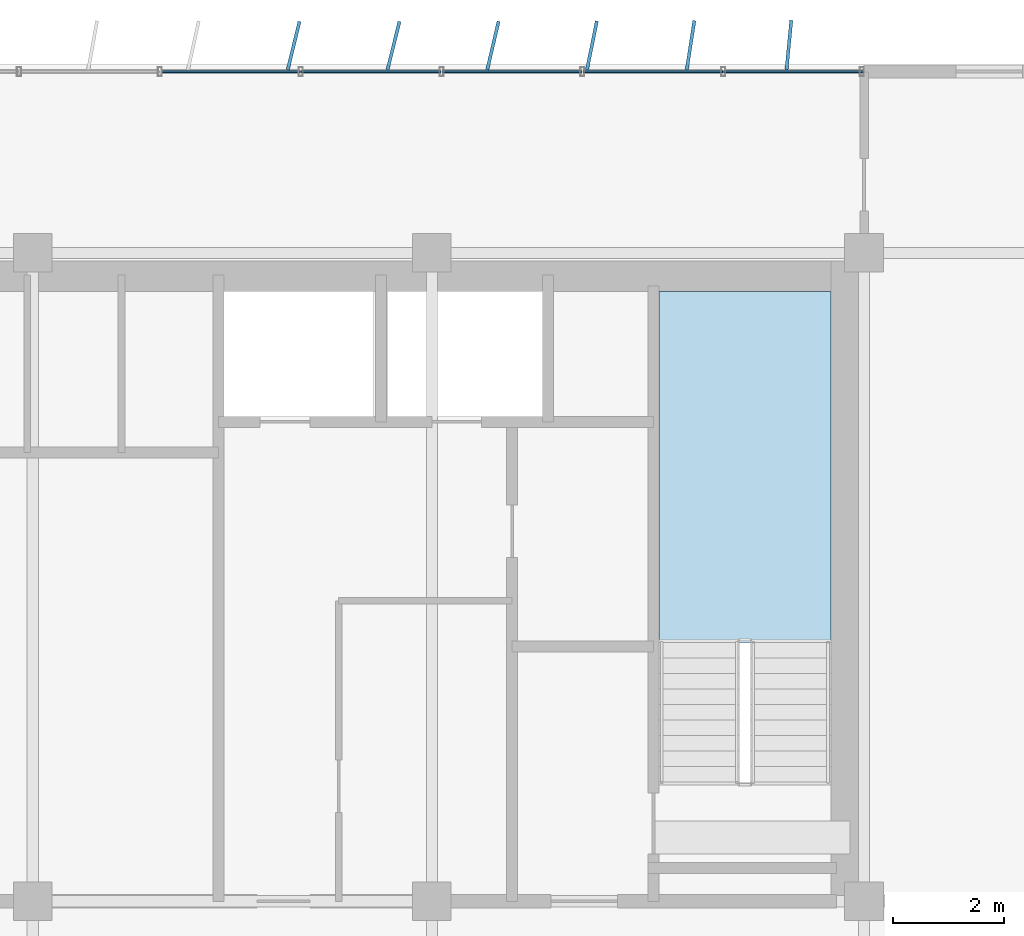
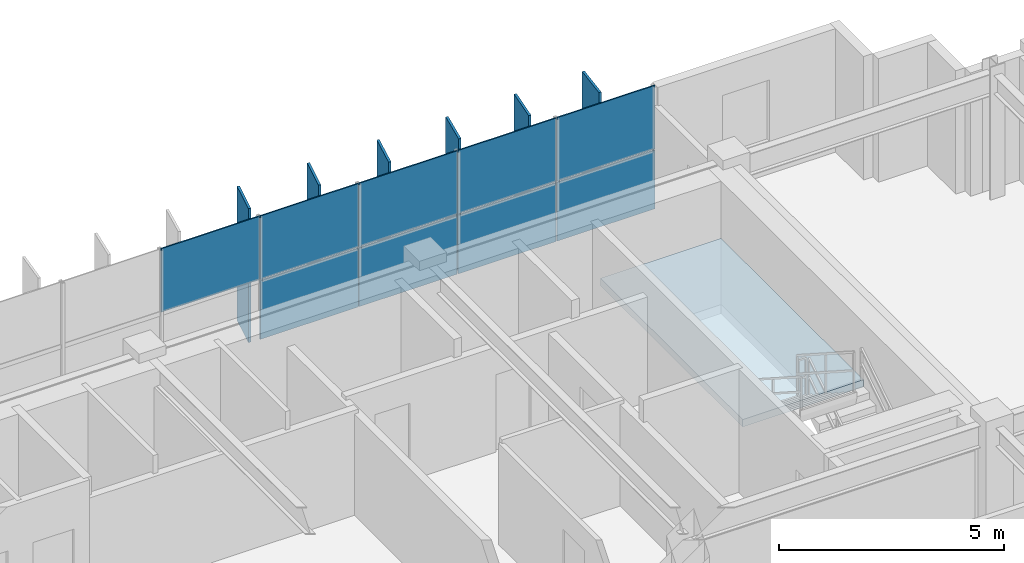
# One storey, part 17 of 24: 15 plates, 1 slab, 2 elements without a shape of their own.
"""IFC4 building model written with IfcOpenShell, lengths in metres."""

import ifcopenshell
import ifcopenshell.guid

model = None  # the IFC model being written
_history = None  # IfcOwnerHistory: only IFC2X3 demands one
_inside = {}  # id of a spatial element -> (the spatial element, [elements in it])
_under = {}  # id of a project, library or spatial element -> (it, [spatial elements below it])
_declared = {}  # id of a project -> (the project, [libraries it declares])
_typed = {}  # id of a type object -> (the type object, [elements of that type])
_made_of = {}  # id of a material, layer set ... -> (it, [elements and type objects made of it])


def new_model(schema):
    """Start an empty IFC model of exactly this schema.

    Asked for "IFC4X3", IfcOpenShell would pick the latest addendum, in which some entities
    have other attributes; the version numbers below select the first issue.
    IFC2X3 requires an IfcOwnerHistory on every rooted entity: one is made here for all.
    """
    global model, _history
    if schema == "IFC4X3":
        model = ifcopenshell.file(schema_version=(4, 3, 0, 0))
    else:
        model = ifcopenshell.file(schema=schema)
    _inside.clear()
    _under.clear()
    _declared.clear()
    _typed.clear()
    _made_of.clear()
    _history = None
    if model.schema == "IFC2X3":
        org = make("IfcOrganization", Name="unknown")
        user = make(
            "IfcPersonAndOrganization",
            ThePerson=make("IfcPerson", FamilyName="unknown"),
            TheOrganization=org,
        )
        app = make(
            "IfcApplication",
            ApplicationDeveloper=org,
            Version="unknown",
            ApplicationFullName="unknown",
            ApplicationIdentifier="unknown",
        )
        _history = make(
            "IfcOwnerHistory",
            OwningUser=user,
            OwningApplication=app,
            ChangeAction="ADDED",
            CreationDate=0,
        )
    return model


def make(cls, **values):
    """One entity of the class cls with the attributes given. An attribute that is None is left unset."""
    return model.create_entity(
        cls, **{name: value for name, value in values.items() if value is not None}
    )


def rooted(cls, **values):
    """An entity with a GlobalId (a new one), such as an element, a storey or a relation."""
    return make(cls, GlobalId=ifcopenshell.guid.new(), OwnerHistory=_history, **values)


def si_unit(unit_type, name, prefix=None):
    """IfcSIUnit, for example si_unit("LENGTHUNIT", "METRE", prefix="MILLI")."""
    return make("IfcSIUnit", UnitType=unit_type, Prefix=prefix, Name=name)


def assignment(units):
    """IfcUnitAssignment: the units of a project."""
    return None if units is None else make("IfcUnitAssignment", Units=units)


def point(xyz):
    """IfcCartesianPoint."""
    return None if xyz is None else make("IfcCartesianPoint", Coordinates=xyz)


def direction(xyz):
    """IfcDirection."""
    return None if xyz is None else make("IfcDirection", DirectionRatios=xyz)


def frame(location, z_axis=None, x_axis=None):
    """IfcAxis2Placement3D, a coordinate frame: its origin and axes. An axis left out is left unset."""
    return make(
        "IfcAxis2Placement3D",
        Location=point(location),
        Axis=direction(z_axis),
        RefDirection=direction(x_axis),
    )


def frame_2d(location, x_axis=None):
    """IfcAxis2Placement2D, a coordinate frame in the plane: its origin and x axis."""
    return make(
        "IfcAxis2Placement2D", Location=point(location), RefDirection=direction(x_axis)
    )


def origin():
    """The frame at (0, 0, 0) with its axes left unset."""
    return frame((0.0, 0.0, 0.0))


def origin_2d():
    """The frame at (0, 0) in the plane with its x axis left unset."""
    return frame_2d((0.0, 0.0))


def place(relative_to, where):
    """IfcLocalPlacement: puts the frame where relative to a parent placement (None: the world)."""
    return make(
        "IfcLocalPlacement", PlacementRelTo=relative_to, RelativePlacement=where
    )


def context(
    kind, dimensions, precision=None, world=None, true_north=None, identifier=None
):
    """IfcGeometricRepresentationContext, for example the 3D "Model" context."""
    return make(
        "IfcGeometricRepresentationContext",
        ContextIdentifier=identifier,
        ContextType=kind,
        CoordinateSpaceDimension=dimensions,
        Precision=precision,
        WorldCoordinateSystem=world,
        TrueNorth=true_north,
    )


def subcontext(parent, identifier, kind, view, scale=None):
    """IfcGeometricRepresentationSubContext, for example "Body" below "Model"."""
    return make(
        "IfcGeometricRepresentationSubContext",
        ContextIdentifier=identifier,
        ContextType=kind,
        ParentContext=parent,
        TargetScale=scale,
        TargetView=view,
    )


def project(units=None, contexts=None):
    """IfcProject with its units and contexts."""
    return rooted(
        "IfcProject",
        Name="project",
        RepresentationContexts=contexts,
        UnitsInContext=assignment(units),
    )


def spatial(cls, under=None, at=None, **own):
    """A site, building, storey or space (cls), placed at a placement, below another one or the project."""
    s = rooted(cls, ObjectPlacement=at, **own)
    if under is not None:
        _under.setdefault(under.id(), (under, []))[1].append(s)
    return s


def polyline(points):
    """IfcPolyline through the points."""
    return make("IfcPolyline", Points=[point(p) for p in points])


def profile(cls, at=None, kind="AREA", **sizes):
    """A parametric profile (cls). Its sizes go by their IFC names, for example OverallWidth=200.0."""
    return make(cls, ProfileType=kind, Position=at, **sizes)


def rectangle(**sizes):
    """IfcRectangleProfileDef."""
    return profile("IfcRectangleProfileDef", **sizes)


def outline(outer, holes=None, kind="AREA"):
    """IfcArbitraryClosedProfileDef: a profile drawn as a closed curve; with holes, ...WithVoids."""
    if holes is None:
        return make("IfcArbitraryClosedProfileDef", ProfileType=kind, OuterCurve=outer)
    return make(
        "IfcArbitraryProfileDefWithVoids",
        ProfileType=kind,
        OuterCurve=outer,
        InnerCurves=holes,
    )


def extrude(swept, where, along, depth):
    """IfcExtrudedAreaSolid: the profile swept, set in the frame where, extruded along a direction by depth."""
    return make(
        "IfcExtrudedAreaSolid",
        SweptArea=swept,
        Position=where,
        ExtrudedDirection=direction(along),
        Depth=depth,
    )


def shape(context_of_items, identifier, shape_type, items):
    """IfcShapeRepresentation: the items that make up one representation, for example the "Body"."""
    return make(
        "IfcShapeRepresentation",
        ContextOfItems=context_of_items,
        RepresentationIdentifier=identifier,
        RepresentationType=shape_type,
        Items=items,
    )


def source(mapping_origin, context_of_items, identifier, shape_type, items):
    """IfcRepresentationMap: a shape defined once, which mapped items show again and again."""
    return make(
        "IfcRepresentationMap",
        MappingOrigin=mapping_origin,
        MappedRepresentation=shape(context_of_items, identifier, shape_type, items),
    )


def transform(
    local_origin,
    x_axis=None,
    y_axis=None,
    z_axis=None,
    scale=None,
    scale2=None,
    scale3=None,
    uniform=True,
):
    """IfcCartesianTransformationOperator3D, or its non-uniform kind. x_axis, y_axis, z_axis: its Axis1, 2, 3."""
    if uniform:
        return make(
            "IfcCartesianTransformationOperator3D",
            Axis1=direction(x_axis),
            Axis2=direction(y_axis),
            LocalOrigin=point(local_origin),
            Scale=scale,
            Axis3=direction(z_axis),
        )
    return make(
        "IfcCartesianTransformationOperator3DnonUniform",
        Axis1=direction(x_axis),
        Axis2=direction(y_axis),
        LocalOrigin=point(local_origin),
        Scale=scale,
        Axis3=direction(z_axis),
        Scale2=scale2,
        Scale3=scale3,
    )


def mapped(mapping_source, mapping_target):
    """IfcMappedItem: shows the shape of a source again, moved by a transform."""
    return make(
        "IfcMappedItem", MappingSource=mapping_source, MappingTarget=mapping_target
    )


def material(Name=None, Category=None):
    """IfcMaterial."""
    return make("IfcMaterial", Name=Name, Category=Category)


def layer(
    of_material, thickness, ventilated=None, Name=None, Category=None, Priority=None
):
    """IfcMaterialLayer: one layer of a wall or slab, of a material (None: an air gap)."""
    return make(
        "IfcMaterialLayer",
        Material=of_material,
        LayerThickness=thickness,
        IsVentilated=ventilated,
        Name=Name,
        Category=Category,
        Priority=Priority,
    )


def layer_set(layers, Name=None):
    """IfcMaterialLayerSet."""
    return make("IfcMaterialLayerSet", MaterialLayers=layers, LayerSetName=Name)


def made_of(thing, what):
    """Note that an element or type object is made of a material, layer set ...; save() writes the relation."""
    if what is not None:
        _made_of.setdefault(what.id(), (what, []))[1].append(thing)
    return thing


def type_object(cls, material=None, **own):
    """A type object (cls), such as IfcWallType, which elements share."""
    return made_of(rooted(cls, **own), material)


def element(
    cls,
    number,
    at=None,
    inside=None,
    cuts=None,
    type_object=None,
    material=None,
    context=None,
    identifier="Body",
    shape_type=None,
    held_by="IfcProductDefinitionShape",
    body=None,
    shapes=None,
    **own,
):
    """One element of the class cls, such as IfcWall. Its Tag is "e" and its number.

    at: its placement. inside: the storey or other place that contains it. cuts: it is an
    opening in that element (IfcRelVoidsElement). A single representation is given by context,
    identifier, shape_type and body (its items); several are given by shapes. held_by: the class
    of the entity that holds the representations. save() writes the other relations.
    """
    e = rooted(cls, Tag="e%d" % number, ObjectPlacement=at, **own)
    if body is not None:
        shapes = [shape(context, identifier, shape_type, body)]
    if shapes is not None:
        e.Representation = make(held_by, Representations=shapes)
    if inside is not None:
        _inside.setdefault(inside.id(), (inside, []))[1].append(e)
    if cuts is not None:
        rooted(
            "IfcRelVoidsElement", RelatingBuildingElement=cuts, RelatedOpeningElement=e
        )
    if type_object is not None:
        _typed.setdefault(type_object.id(), (type_object, []))[1].append(e)
    return made_of(e, material)


def aggregate(whole, parts):
    """IfcRelAggregates: a whole, such as a stair, and the parts it consists of."""
    return rooted("IfcRelAggregates", RelatingObject=whole, RelatedObjects=parts)


def save(model, path):
    """Write the relations noted so far, then the file.

    IfcRelAggregates (storeys below a building ...), IfcRelContainedInSpatialStructure (elements
    in a storey), IfcRelDefinesByType, IfcRelAssociatesMaterial and IfcRelDeclares: one each for
    every whole, place, type object, material and project.
    """
    for whole, parts in _under.values():
        aggregate(whole, parts)
    for where, things in _inside.values():
        rooted(
            "IfcRelContainedInSpatialStructure",
            RelatedElements=things,
            RelatingStructure=where,
        )
    for kind, things in _typed.values():
        rooted("IfcRelDefinesByType", RelatedObjects=things, RelatingType=kind)
    for what, things in _made_of.values():
        rooted("IfcRelAssociatesMaterial", RelatedObjects=things, RelatingMaterial=what)
    for by, libraries in _declared.values():
        rooted("IfcRelDeclares", RelatingContext=by, RelatedDefinitions=libraries)
    model.write(path)


model = new_model("IFC4")

# Units and contexts
model_context = context("Model", 3, precision=1e-05, world=origin(), true_north=direction((0.0, 1.0)))
body_context = subcontext(model_context, "Body", "Model", "MODEL_VIEW")
ifc_project = project(units=[si_unit("LENGTHUNIT", "METRE"), si_unit("AREAUNIT", "SQUARE_METRE"), si_unit("VOLUMEUNIT", "CUBIC_METRE"), si_unit("PLANEANGLEUNIT", "RADIAN"), si_unit("MASSUNIT", "GRAM", prefix="KILO")], contexts=[model_context])

# Site, building, storey
site_placement = place(None, origin())
site = spatial("IfcSite", under=ifc_project, at=site_placement, CompositionType="ELEMENT")
building_placement = place(site_placement, origin())
building = spatial("IfcBuilding", under=site, at=building_placement, Name="Trelvane Seafront Commons", CompositionType="ELEMENT")
storey_placement = place(building_placement, frame((0.0, 0.0, 175.300048828125)))
storey = spatial("IfcBuildingStorey", under=building, at=storey_placement, Name="L46", CompositionType="ELEMENT", Elevation=175.300048828125)

# Stair, slab
ifc_material_1 = material(Name="Concrete C40/50", Category="concrete")
stair_type = type_object("IfcStairType", Name="ARCH-STR-ST-2-R20-180", PredefinedType="HALF_TURN_STAIR", material=ifc_material_1)
stair_placement = place(storey_placement, origin())
stair = element("IfcStair", 1, at=stair_placement, inside=storey, type_object=stair_type, Name="L46 East Protected Firefighting Exit Stair ST-2", PredefinedType="HALF_TURN_STAIR")
ifc_layer_1 = layer(ifc_material_1, 0.199951171875, Name="ARCH-LND-200")
ifc_layer_set_1 = layer_set([ifc_layer_1], Name="Concrete C40/50")
slab_type = type_object("IfcSlabType", Name="ARCH-LND-200", PredefinedType="LANDING", material=ifc_layer_set_1)
slab_placement = place(storey_placement, frame((0.0, 0.0, 1.599853515625)))
slab = element("IfcSlab", 2, at=slab_placement, type_object=slab_type, Name="ST-2 landing 1", PredefinedType="LANDING", context=body_context, shape_type="SweptSolid", body=[
    extrude(outline(polyline([(58.199951171875, 38.070068359375), (58.199951171875, 44.39990234375), (55.10009765625, 44.39990234375), (55.10009765625, 38.070068359375), (58.199951171875, 38.070068359375)])), origin(), (0.0, 0.0, 1.0), 0.2001953125),
])
aggregate(stair, [slab])

# Plates
ifc_material_2 = material(Name="Anodised pale-silver aluminium", Category="aluminium")
ifc_layer_2 = layer(ifc_material_2, 0.06005859375, Name="ARCH-PLATE-FIN900")
ifc_layer_set_2 = layer_set([ifc_layer_2], Name="Anodised pale-silver aluminium")
plate_type_1 = type_object("IfcPlateType", Name="ARCH-PLATE-FIN900", PredefinedType="USERDEFINED", material=ifc_layer_set_2)
shared_shape_1 = source(origin(), body_context, "Body", "SweptSolid", [
    extrude(rectangle(XDim=0.89990234375, YDim=0.06005859375, at=origin_2d()), origin(), (0.0, 0.0, 1.0), 3.639892578125),
])
for number, where, z_axis, x_axis, name in (
    (3, (48.506591796875, 48.837158203125, -0.02001953125), (0.0, 0.0, 1.0), (0.23722474077, 0.971454796873, 0.0), "FIN-L46-01295"),
    (4, (50.30859375, 48.836669921875, -0.02001953125), (0.0, 0.0, 1.0), (0.241332518054, 0.970442484504, 0.0), "FIN-L46-01296"),
    (5, (52.1025390625, 48.838134765625, -0.02001953125), (0.0, 0.0, 1.0), (0.227788391627, 0.973710659611, 0.0), "FIN-L46-01297"),
    (6, (53.888916015625, 48.841064453125, -0.02001953125), (0.0, 0.0, 1.0), (0.197547841805, 0.980293247043, 0.0), "FIN-L46-01298"),
    (7, (55.668701171875, 48.8447265625, -0.02001953125), (0.0, 0.0, 1.0), (0.152658118937, 0.988279059134, 0.0), "FIN-L46-01299"),
    (8, (57.443115234375, 48.847900390625, -0.02001953125), (0.0, 0.0, 1.0), (0.096115029596, 0.995370233172, 0.0), "FIN-L46-01300"),
):
    element("IfcPlate", number, at=place(storey_placement, frame(where, z_axis=z_axis, x_axis=x_axis)), inside=storey, type_object=plate_type_1, Name=name, ObjectType="FIN", PredefinedType="USERDEFINED", context=body_context, shape_type="MappedRepresentation", body=[
        mapped(shared_shape_1, transform((0.0, 0.0, 0.0), x_axis=(1.0, 0.0, 0.0), y_axis=(0.0, 1.0, 0.0), z_axis=(0.0, 0.0, 1.0), scale=1.0)),
    ])

# Curtain wall, plates
curtain_wall_type = type_object("IfcCurtainWallType", Name="ARCH-CW5-UPTOWER", PredefinedType="NOTDEFINED", material=ifc_material_2)
curtain_wall_placement = place(storey_placement, origin())
curtain_wall = element("IfcCurtainWall", 9, at=curtain_wall_placement, inside=storey, type_object=curtain_wall_type, Name="CW-L46-0073", PredefinedType="NOTDEFINED")
ifc_material_3 = material(Name="Low-E coastal double glazing", Category="glass")
ifc_layer_3 = layer(ifc_material_3, 0.033935546875, Name="ARCH-CW-GLAZ-34")
ifc_layer_set_3 = layer_set([ifc_layer_3], Name="Low-E coastal double glazing")
plate_type_2 = type_object("IfcPlateType", Name="ARCH-CW-GLAZ-34", PredefinedType="CURTAIN_PANEL", material=ifc_layer_set_3)
shared_shape_2 = source(origin(), body_context, "Body", "SweptSolid", [
    extrude(rectangle(XDim=2.51708984375, YDim=0.033935546875, at=origin_2d()), origin(), (0.0, 0.0, 1.0), 1.590087890625),
])
plate_1_placement = place(storey_placement, frame((49.906005859375, 48.3701171875, 0.0), z_axis=(0.0, 0.0, 1.0), x_axis=(1.0, 0.0, 0.0)))
plate_1 = element("IfcPlate", 10, at=plate_1_placement, type_object=plate_type_2, Name="CW-L46-0073-P13-1", PredefinedType="CURTAIN_PANEL", context=body_context, shape_type="MappedRepresentation", body=[
    mapped(shared_shape_2, transform((0.0, 0.0, 0.0), x_axis=(1.0, 0.0, 0.0), y_axis=(0.0, 1.0, 0.0), z_axis=(0.0, 0.0, 1.0), scale=1.0)),
])
plate_2_placement = place(storey_placement, frame((52.447021484375, 48.3701171875, 0.0), z_axis=(0.0, 0.0, 1.0), x_axis=(1.0, 0.0, 0.0)))
plate_2 = element("IfcPlate", 11, at=plate_2_placement, type_object=plate_type_2, Name="CW-L46-0073-P14-1", PredefinedType="CURTAIN_PANEL", context=body_context, shape_type="MappedRepresentation", body=[
    mapped(shared_shape_2, transform((0.0, 0.0, 0.0), x_axis=(1.0, 0.0, 0.0), y_axis=(0.0, 1.0, 0.0), z_axis=(0.0, 0.0, 1.0), scale=1.0)),
])
plate_3_placement = place(storey_placement, frame((54.98828125, 48.3701171875, 0.0), z_axis=(0.0, 0.0, 1.0), x_axis=(1.0, 0.0, 0.0)))
plate_3 = element("IfcPlate", 12, at=plate_3_placement, type_object=plate_type_2, Name="CW-L46-0073-P15-1", PredefinedType="CURTAIN_PANEL", context=body_context, shape_type="MappedRepresentation", body=[
    mapped(shared_shape_2, transform((0.0, 0.0, 0.0), x_axis=(1.0, 0.0, 0.0), y_axis=(0.0, 1.0, 0.0), z_axis=(0.0, 0.0, 1.0), scale=1.0)),
])
plate_4_placement = place(storey_placement, frame((57.529296875, 48.3701171875, 0.0), z_axis=(0.0, 0.0, 1.0), x_axis=(1.0, 0.0, 0.0)))
plate_4 = element("IfcPlate", 13, at=plate_4_placement, type_object=plate_type_2, Name="CW-L46-0073-P16-1", PredefinedType="CURTAIN_PANEL", context=body_context, shape_type="MappedRepresentation", body=[
    mapped(shared_shape_2, transform((0.0, 0.0, 0.0), x_axis=(1.0, 0.0, 0.0), y_axis=(0.0, 1.0, 0.0), z_axis=(0.0, 0.0, 1.0), scale=1.0)),
])
shared_shape_3 = source(origin(), body_context, "Body", "SweptSolid", [
    extrude(rectangle(XDim=2.51708984375, YDim=0.033935546875, at=origin_2d()), origin(), (0.0, 0.0, 1.0), 1.72412109375),
])
plate_5_placement = place(storey_placement, frame((47.36474609375, 48.3701171875, 1.6259765625), z_axis=(0.0, 0.0, 1.0), x_axis=(1.0, 0.0, 0.0)))
plate_5 = element("IfcPlate", 14, at=plate_5_placement, type_object=plate_type_2, Name="CW-L46-0073-P12-2", PredefinedType="CURTAIN_PANEL", context=body_context, shape_type="MappedRepresentation", body=[
    mapped(shared_shape_3, transform((0.0, 0.0, 0.0), x_axis=(1.0, 0.0, 0.0), y_axis=(0.0, 1.0, 0.0), z_axis=(0.0, 0.0, 1.0), scale=1.0)),
])
plate_6_placement = place(storey_placement, frame((49.906005859375, 48.3701171875, 1.6259765625), z_axis=(0.0, 0.0, 1.0), x_axis=(1.0, 0.0, 0.0)))
plate_6 = element("IfcPlate", 15, at=plate_6_placement, type_object=plate_type_2, Name="CW-L46-0073-P13-2", PredefinedType="CURTAIN_PANEL", context=body_context, shape_type="MappedRepresentation", body=[
    mapped(shared_shape_3, transform((0.0, 0.0, 0.0), x_axis=(1.0, 0.0, 0.0), y_axis=(0.0, 1.0, 0.0), z_axis=(0.0, 0.0, 1.0), scale=1.0)),
])
plate_7_placement = place(storey_placement, frame((52.447021484375, 48.3701171875, 1.6259765625), z_axis=(0.0, 0.0, 1.0), x_axis=(1.0, 0.0, 0.0)))
plate_7 = element("IfcPlate", 16, at=plate_7_placement, type_object=plate_type_2, Name="CW-L46-0073-P14-2", PredefinedType="CURTAIN_PANEL", context=body_context, shape_type="MappedRepresentation", body=[
    mapped(shared_shape_3, transform((0.0, 0.0, 0.0), x_axis=(1.0, 0.0, 0.0), y_axis=(0.0, 1.0, 0.0), z_axis=(0.0, 0.0, 1.0), scale=1.0)),
])
plate_8_placement = place(storey_placement, frame((54.98828125, 48.3701171875, 1.6259765625), z_axis=(0.0, 0.0, 1.0), x_axis=(1.0, 0.0, 0.0)))
plate_8 = element("IfcPlate", 17, at=plate_8_placement, type_object=plate_type_2, Name="CW-L46-0073-P15-2", PredefinedType="CURTAIN_PANEL", context=body_context, shape_type="MappedRepresentation", body=[
    mapped(shared_shape_3, transform((0.0, 0.0, 0.0), x_axis=(1.0, 0.0, 0.0), y_axis=(0.0, 1.0, 0.0), z_axis=(0.0, 0.0, 1.0), scale=1.0)),
])
plate_9_placement = place(storey_placement, frame((57.529296875, 48.3701171875, 1.6259765625), z_axis=(0.0, 0.0, 1.0), x_axis=(1.0, 0.0, 0.0)))
plate_9 = element("IfcPlate", 18, at=plate_9_placement, type_object=plate_type_2, Name="CW-L46-0073-P16-2", PredefinedType="CURTAIN_PANEL", context=body_context, shape_type="MappedRepresentation", body=[
    mapped(shared_shape_3, transform((0.0, 0.0, 0.0), x_axis=(1.0, 0.0, 0.0), y_axis=(0.0, 1.0, 0.0), z_axis=(0.0, 0.0, 1.0), scale=1.0)),
])
aggregate(curtain_wall, [plate_5, plate_1, plate_6, plate_2, plate_7, plate_3, plate_8, plate_4, plate_9])

save(model, "model.ifc")
